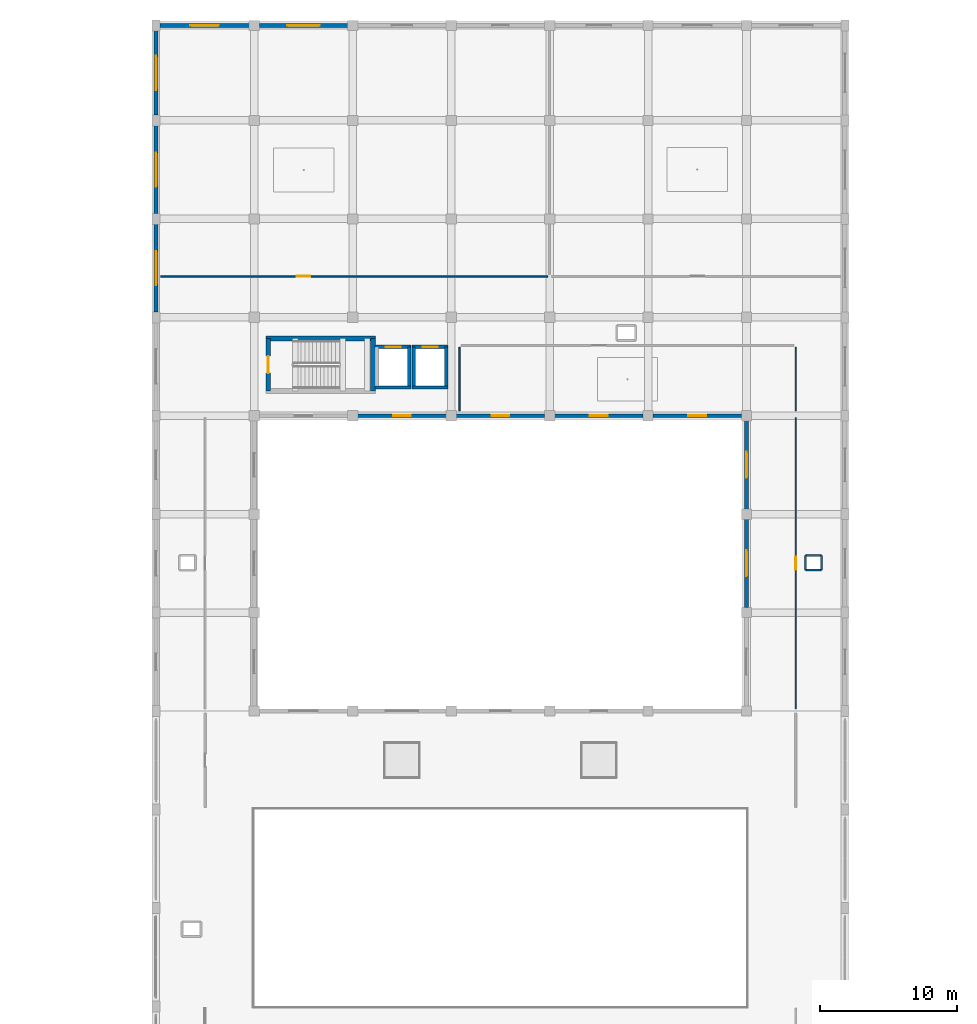
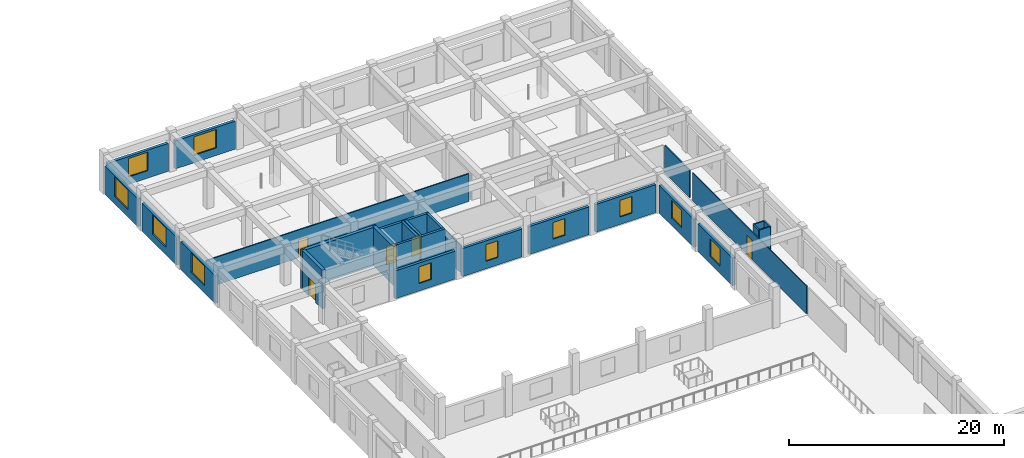
# One storey, part 33 of 55: 29 walls, 11 windows, 5 doors, 16 openings.
"""IFC4 building model written with IfcOpenShell, lengths in metres."""

from ifc_helpers import new_model, si_unit, direction, frame, frame_2d, origin, place, context, subcontext, project, spatial, rectangle, extrude, material, layer, layer_set, type_object, element, fill, save


model = new_model("IFC4")

# Units and contexts
model_context = context("Model", 3, precision=1e-05, world=origin(), true_north=direction((0.0, 1.0)))
body_context = subcontext(model_context, "Body", "Model", "MODEL_VIEW")
ifc_project = project(units=[si_unit("LENGTHUNIT", "METRE"), si_unit("AREAUNIT", "SQUARE_METRE"), si_unit("VOLUMEUNIT", "CUBIC_METRE"), si_unit("PLANEANGLEUNIT", "RADIAN"), si_unit("MASSUNIT", "GRAM", prefix="KILO")], contexts=[model_context])

# Site, building, storey
site_placement = place(None, origin())
site = spatial("IfcSite", under=ifc_project, at=site_placement, CompositionType="ELEMENT")
building_placement = place(site_placement, origin())
building = spatial("IfcBuilding", under=site, at=building_placement, Name="Kazehaya Institute of Natural Sciences", CompositionType="ELEMENT")
storey_placement = place(building_placement, frame((0.0, 0.0, 15.1201171875)))
storey = spatial("IfcBuildingStorey", under=building, at=storey_placement, Name="L03", CompositionType="ELEMENT", Elevation=15.1201171875)

# Wall
ifc_material_1 = material(Name="Concrete Fc42", Category="concrete")
ifc_layer_1 = layer(ifc_material_1, 0.35009765625, Name="Concrete Fc42", Category="concrete")
ifc_layer_set_1 = layer_set([ifc_layer_1], Name="Concrete Fc42")
wall_type_1 = type_object("IfcWallType", Name="WL-CORE-350", PredefinedType="SHEAR", material=ifc_layer_set_1)
wall_1_placement = place(storey_placement, frame((69.844970703125, 91.659912109375, 0.0), z_axis=(0.0, 0.0, 1.0), x_axis=(1.0, 0.0, 0.0)))
element("IfcWall", 1, at=wall_1_placement, inside=storey, type_object=wall_type_1, Name="L03 ST-3 core wall N", PredefinedType="SHEAR", context=body_context, shape_type="SweptSolid", body=[
    extrude(rectangle(XDim=8.010009765625, YDim=0.35009765625, at=frame_2d((4.0048828125, 0.0))), origin(), (0.0, 0.0, 1.0), 4.409912109375),
])

# Wall, opening, door
wall_2_placement = place(storey_placement, frame((70.02001953125, 87.820068359375, 0.0), z_axis=(0.0, 0.0, 1.0), x_axis=(0.0, 1.0, 0.0)))
wall_2 = element("IfcWall", 2, at=wall_2_placement, inside=storey, type_object=wall_type_1, Name="L03 ST-3 core wall W", PredefinedType="SHEAR", context=body_context, shape_type="SweptSolid", body=[
    extrude(rectangle(XDim=3.83984375, YDim=0.35009765625, at=frame_2d((1.919921875, 0.0))), origin(), (0.0, 0.0, 1.0), 4.409912109375),
])
opening_1_placement = place(wall_2_placement, frame((1.2900390625, 0.0, 0.0)))
opening_1 = element("IfcOpeningElement", 3, at=opening_1_placement, cuts=wall_2, Name="Opening D-ST-027", PredefinedType="OPENING", context=body_context, shape_type="SweptSolid", body=[
    extrude(rectangle(XDim=1.260009765625, YDim=2.06005859375, at=frame_2d((0.6298828125, 1.030029296875))), frame((0.0, 0.18505859375, 0.0), z_axis=(0.0, -1.0, 0.0), x_axis=(1.0, 0.0, 0.0)), (0.0, 0.0, 1.0), 0.3701171875),
])
ifc_material_2 = material(Name="Fire-rated steel acoustic door", Category="steel")
door_type_1 = type_object("IfcDoorType", Name="DT-FD-28", OperationType="NOTDEFINED", PredefinedType="DOOR", material=ifc_material_2)
door_1_placement = place(opening_1_placement, origin())
door_1 = element("IfcDoor", 4, at=door_1_placement, inside=storey, type_object=door_type_1, Name="L03 ST-3 stair enclosure door D-ST-027", OperationType="SINGLE_SWING_LEFT", OverallHeight=2.06005859375, OverallWidth=1.260009765625, PredefinedType="DOOR", context=body_context, shape_type="SweptSolid", body=[
    extrude(rectangle(XDim=1.260009765625, YDim=2.06005859375, at=frame_2d((0.6298828125, 1.030029296875))), frame((0.0, 0.02490234375, 0.0), z_axis=(0.0, -1.0, 0.0), x_axis=(1.0, 0.0, 0.0)), (0.0, 0.0, 1.0), 0.050048828125),
])
fill(opening_1, door_1)

# Wall
wall_3_placement = place(storey_placement, frame((77.679931640625, 91.659912109375, 0.0), z_axis=(0.0, 0.0, 1.0), x_axis=(0.0, -1.0, 0.0)))
element("IfcWall", 5, at=wall_3_placement, inside=storey, type_object=wall_type_1, Name="L03 ST-3 core wall E", PredefinedType="SHEAR", context=body_context, shape_type="SweptSolid", body=[
    extrude(rectangle(XDim=3.83984375, YDim=0.35009765625, at=frame_2d((1.919921875, 0.0))), origin(), (0.0, 0.0, 1.0), 4.409912109375),
])

# Wall, opening, window
ifc_material_3 = material(Name="Precast concrete Fc36", Category="concrete")
ifc_layer_2 = layer(ifc_material_3, 0.2900390625, Name="Precast concrete Fc36", Category="concrete")
ifc_layer_set_2 = layer_set([ifc_layer_2], Name="Precast concrete Fc36")
wall_type_2 = type_object("IfcWallType", Name="WL-EXT-290", PredefinedType="SOLIDWALL", material=ifc_layer_set_2)
wall_4_placement = place(storey_placement, frame((104.639892578125, 86.0, 0.0), z_axis=(0.0, 0.0, 1.0), x_axis=(-1.0, 0.0, 0.0)))
wall_4 = element("IfcWall", 6, at=wall_4_placement, inside=storey, type_object=wall_type_2, Name="L03 exterior wall EW-L03-0264", PredefinedType="SOLIDWALL", context=body_context, shape_type="SweptSolid", body=[
    extrude(rectangle(XDim=6.47998046875, YDim=0.2900390625, at=frame_2d((3.239990234375, 0.0))), origin(), (0.0, 0.0, 1.0), 3.179931640625),
])
opening_2_placement = place(wall_4_placement, frame((2.590087890625, 0.0, 0.85009765625)))
opening_2 = element("IfcOpeningElement", 7, at=opening_2_placement, cuts=wall_4, Name="Opening W26", PredefinedType="OPENING", context=body_context, shape_type="SweptSolid", body=[
    extrude(rectangle(XDim=1.300048828125, YDim=1.89990234375, at=frame_2d((0.64990234375, 0.949951171875))), frame((0.0, 0.155029296875, 0.0), z_axis=(0.0, -1.0, 0.0), x_axis=(1.0, 0.0, 0.0)), (0.0, 0.0, 1.0), 0.31005859375),
])
ifc_material_4 = material(Name="Low-E double-glazed aluminium window", Category="aluminium")
window_type_1 = type_object("IfcWindowType", Name="WN-26", PartitioningType="SINGLE_PANEL", PredefinedType="WINDOW", material=ifc_material_4)
window_1_placement = place(opening_2_placement, origin())
window_1 = element("IfcWindow", 8, at=window_1_placement, inside=storey, type_object=window_type_1, Name="L03 facade window 0164", OverallHeight=1.89990234375, OverallWidth=1.300048828125, PartitioningType="SINGLE_PANEL", PredefinedType="WINDOW", context=body_context, shape_type="SweptSolid", body=[
    extrude(rectangle(XDim=1.300048828125, YDim=1.89990234375, at=frame_2d((0.64990234375, 0.949951171875))), frame((0.0, 0.030029296875, 0.0), z_axis=(0.0, -1.0, 0.0), x_axis=(1.0, 0.0, 0.0)), (0.0, 0.0, 1.0), 0.06005859375),
])
fill(opening_2, window_1)

wall_5_placement = place(storey_placement, frame((97.43994140625, 86.0, 0.0), z_axis=(0.0, 0.0, 1.0), x_axis=(-1.0, 0.0, 0.0)))
wall_5 = element("IfcWall", 9, at=wall_5_placement, inside=storey, type_object=wall_type_2, Name="L03 exterior wall EW-L03-0265", PredefinedType="SOLIDWALL", context=body_context, shape_type="SweptSolid", body=[
    extrude(rectangle(XDim=6.47998046875, YDim=0.2900390625, at=frame_2d((3.239990234375, 0.0))), origin(), (0.0, 0.0, 1.0), 3.179931640625),
])
opening_3_placement = place(wall_5_placement, frame((2.590087890625, 0.0, 0.85009765625)))
opening_3 = element("IfcOpeningElement", 10, at=opening_3_placement, cuts=wall_5, Name="Opening W26", PredefinedType="OPENING", context=body_context, shape_type="SweptSolid", body=[
    extrude(rectangle(XDim=1.300048828125, YDim=1.89990234375, at=frame_2d((0.64990234375, 0.949951171875))), frame((0.0, 0.155029296875, 0.0), z_axis=(0.0, -1.0, 0.0), x_axis=(1.0, 0.0, 0.0)), (0.0, 0.0, 1.0), 0.31005859375),
])
window_2_placement = place(opening_3_placement, origin())
window_2 = element("IfcWindow", 11, at=window_2_placement, inside=storey, type_object=window_type_1, Name="L03 facade window 0165", OverallHeight=1.89990234375, OverallWidth=1.300048828125, PartitioningType="SINGLE_PANEL", PredefinedType="WINDOW", context=body_context, shape_type="SweptSolid", body=[
    extrude(rectangle(XDim=1.300048828125, YDim=1.89990234375, at=frame_2d((0.64990234375, 0.949951171875))), frame((0.0, 0.030029296875, 0.0), z_axis=(0.0, -1.0, 0.0), x_axis=(1.0, 0.0, 0.0)), (0.0, 0.0, 1.0), 0.06005859375),
])
fill(opening_3, window_2)

wall_6_placement = place(storey_placement, frame((90.239990234375, 86.0, 0.0), z_axis=(0.0, 0.0, 1.0), x_axis=(-1.0, 0.0, 0.0)))
wall_6 = element("IfcWall", 12, at=wall_6_placement, inside=storey, type_object=wall_type_2, Name="L03 exterior wall EW-L03-0266", PredefinedType="SOLIDWALL", context=body_context, shape_type="SweptSolid", body=[
    extrude(rectangle(XDim=6.47998046875, YDim=0.2900390625, at=frame_2d((3.239990234375, 0.0))), origin(), (0.0, 0.0, 1.0), 3.179931640625),
])
opening_4_placement = place(wall_6_placement, frame((2.590087890625, 0.0, 0.85009765625)))
opening_4 = element("IfcOpeningElement", 13, at=opening_4_placement, cuts=wall_6, Name="Opening W26", PredefinedType="OPENING", context=body_context, shape_type="SweptSolid", body=[
    extrude(rectangle(XDim=1.300048828125, YDim=1.89990234375, at=frame_2d((0.64990234375, 0.949951171875))), frame((0.0, 0.155029296875, 0.0), z_axis=(0.0, -1.0, 0.0), x_axis=(1.0, 0.0, 0.0)), (0.0, 0.0, 1.0), 0.31005859375),
])
window_3_placement = place(opening_4_placement, origin())
window_3 = element("IfcWindow", 14, at=window_3_placement, inside=storey, type_object=window_type_1, Name="L03 facade window 0166", OverallHeight=1.89990234375, OverallWidth=1.300048828125, PartitioningType="SINGLE_PANEL", PredefinedType="WINDOW", context=body_context, shape_type="SweptSolid", body=[
    extrude(rectangle(XDim=1.300048828125, YDim=1.89990234375, at=frame_2d((0.64990234375, 0.949951171875))), frame((0.0, 0.030029296875, 0.0), z_axis=(0.0, -1.0, 0.0), x_axis=(1.0, 0.0, 0.0)), (0.0, 0.0, 1.0), 0.06005859375),
])
fill(opening_4, window_3)

wall_7_placement = place(storey_placement, frame((83.0400390625, 86.0, 0.0), z_axis=(0.0, 0.0, 1.0), x_axis=(-1.0, 0.0, 0.0)))
wall_7 = element("IfcWall", 15, at=wall_7_placement, inside=storey, type_object=wall_type_2, Name="L03 exterior wall EW-L03-0267", PredefinedType="SOLIDWALL", context=body_context, shape_type="SweptSolid", body=[
    extrude(rectangle(XDim=6.47998046875, YDim=0.2900390625, at=frame_2d((3.239990234375, 0.0))), origin(), (0.0, 0.0, 1.0), 3.179931640625),
])
opening_5_placement = place(wall_7_placement, frame((2.590087890625, 0.0, 0.85009765625)))
opening_5 = element("IfcOpeningElement", 16, at=opening_5_placement, cuts=wall_7, Name="Opening W26", PredefinedType="OPENING", context=body_context, shape_type="SweptSolid", body=[
    extrude(rectangle(XDim=1.300048828125, YDim=1.89990234375, at=frame_2d((0.64990234375, 0.949951171875))), frame((0.0, 0.155029296875, 0.0), z_axis=(0.0, -1.0, 0.0), x_axis=(1.0, 0.0, 0.0)), (0.0, 0.0, 1.0), 0.31005859375),
])
window_4_placement = place(opening_5_placement, origin())
window_4 = element("IfcWindow", 17, at=window_4_placement, inside=storey, type_object=window_type_1, Name="L03 facade window 0167", OverallHeight=1.89990234375, OverallWidth=1.300048828125, PartitioningType="SINGLE_PANEL", PredefinedType="WINDOW", context=body_context, shape_type="SweptSolid", body=[
    extrude(rectangle(XDim=1.300048828125, YDim=1.89990234375, at=frame_2d((0.64990234375, 0.949951171875))), frame((0.0, 0.030029296875, 0.0), z_axis=(0.0, -1.0, 0.0), x_axis=(1.0, 0.0, 0.0)), (0.0, 0.0, 1.0), 0.06005859375),
])
fill(opening_5, window_4)

ifc_layer_3 = layer(ifc_material_3, 0.31005859375, Name="Precast concrete Fc36", Category="concrete")
ifc_layer_set_3 = layer_set([ifc_layer_3], Name="Precast concrete Fc36")
wall_type_3 = type_object("IfcWallType", Name="WL-EXT-310", PredefinedType="SOLIDWALL", material=ifc_layer_set_3)
wall_8_placement = place(storey_placement, frame((105.0, 71.9599609375, 0.0), z_axis=(0.0, 0.0, 1.0), x_axis=(0.0, 1.0, 0.0)))
wall_8 = element("IfcWall", 18, at=wall_8_placement, inside=storey, type_object=wall_type_3, Name="L03 exterior wall EW-L03-0244", PredefinedType="SOLIDWALL", context=body_context, shape_type="SweptSolid", body=[
    extrude(rectangle(XDim=6.47998046875, YDim=0.31005859375, at=frame_2d((3.239990234375, 0.0))), origin(), (0.0, 0.0, 1.0), 3.179931640625),
])
opening_6_placement = place(wall_8_placement, frame((2.2900390625, 0.0, 0.85009765625)))
opening_6 = element("IfcOpeningElement", 19, at=opening_6_placement, cuts=wall_8, Name="Opening W23", PredefinedType="OPENING", context=body_context, shape_type="SweptSolid", body=[
    extrude(rectangle(XDim=1.89990234375, YDim=2.0, at=frame_2d((0.949951171875, 1.0))), frame((0.0, 0.1650390625, 0.0), z_axis=(0.0, -1.0, 0.0), x_axis=(1.0, 0.0, 0.0)), (0.0, 0.0, 1.0), 0.330078125),
])
window_type_2 = type_object("IfcWindowType", Name="WN-23", PartitioningType="DOUBLE_PANEL_VERTICAL", PredefinedType="WINDOW", material=ifc_material_4)
window_5_placement = place(opening_6_placement, origin())
window_5 = element("IfcWindow", 20, at=window_5_placement, inside=storey, type_object=window_type_2, Name="L03 facade window 0144", OverallHeight=2.0, OverallWidth=1.89990234375, PartitioningType="DOUBLE_PANEL_VERTICAL", PredefinedType="WINDOW", context=body_context, shape_type="SweptSolid", body=[
    extrude(rectangle(XDim=1.89990234375, YDim=2.0, at=frame_2d((0.949951171875, 1.0))), frame((0.0, 0.030029296875, 0.0), z_axis=(0.0, -1.0, 0.0), x_axis=(1.0, 0.0, 0.0)), (0.0, 0.0, 1.0), 0.06005859375),
])
fill(opening_6, window_5)

wall_9_placement = place(storey_placement, frame((105.0, 79.159912109375, 0.0), z_axis=(0.0, 0.0, 1.0), x_axis=(0.0, 1.0, 0.0)))
wall_9 = element("IfcWall", 21, at=wall_9_placement, inside=storey, type_object=wall_type_3, Name="L03 exterior wall EW-L03-0248", PredefinedType="SOLIDWALL", context=body_context, shape_type="SweptSolid", body=[
    extrude(rectangle(XDim=6.47998046875, YDim=0.31005859375, at=frame_2d((3.239990234375, 0.0))), origin(), (0.0, 0.0, 1.0), 3.179931640625),
])
opening_7_placement = place(wall_9_placement, frame((2.2900390625, 0.0, 0.85009765625)))
opening_7 = element("IfcOpeningElement", 22, at=opening_7_placement, cuts=wall_9, Name="Opening W23", PredefinedType="OPENING", context=body_context, shape_type="SweptSolid", body=[
    extrude(rectangle(XDim=1.89990234375, YDim=2.0, at=frame_2d((0.949951171875, 1.0))), frame((0.0, 0.1650390625, 0.0), z_axis=(0.0, -1.0, 0.0), x_axis=(1.0, 0.0, 0.0)), (0.0, 0.0, 1.0), 0.330078125),
])
window_6_placement = place(opening_7_placement, origin())
window_6 = element("IfcWindow", 23, at=window_6_placement, inside=storey, type_object=window_type_2, Name="L03 facade window 0148", OverallHeight=2.0, OverallWidth=1.89990234375, PartitioningType="DOUBLE_PANEL_VERTICAL", PredefinedType="WINDOW", context=body_context, shape_type="SweptSolid", body=[
    extrude(rectangle(XDim=1.89990234375, YDim=2.0, at=frame_2d((0.949951171875, 1.0))), frame((0.0, 0.030029296875, 0.0), z_axis=(0.0, -1.0, 0.0), x_axis=(1.0, 0.0, 0.0)), (0.0, 0.0, 1.0), 0.06005859375),
])
fill(opening_7, window_6)

ifc_layer_4 = layer(ifc_material_3, 0.320068359375, Name="Precast concrete Fc36", Category="concrete")
ifc_layer_set_4 = layer_set([ifc_layer_4], Name="Precast concrete Fc36")
wall_type_4 = type_object("IfcWallType", Name="WL-EXT-320", PredefinedType="SOLIDWALL", material=ifc_layer_set_4)
wall_10_placement = place(storey_placement, frame((61.800048828125, 93.5849609375, 0.0), z_axis=(0.0, 0.0, 1.0), x_axis=(0.0, 1.0, 0.0)))
wall_10 = element("IfcWall", 24, at=wall_10_placement, inside=storey, type_object=wall_type_4, Name="L03 exterior wall EW-L03-0251", PredefinedType="SOLIDWALL", context=body_context, shape_type="SweptSolid", body=[
    extrude(rectangle(XDim=6.429931640625, YDim=0.320068359375, at=frame_2d((3.21484375, 0.0))), origin(), (0.0, 0.0, 1.0), 3.179931640625),
])
opening_8_placement = place(wall_10_placement, frame((1.965087890625, 0.0, 0.85009765625)))
opening_8 = element("IfcOpeningElement", 25, at=opening_8_placement, cuts=wall_10, Name="Opening W24", PredefinedType="OPENING", context=body_context, shape_type="SweptSolid", body=[
    extrude(rectangle(XDim=2.5, YDim=2.199951171875, at=frame_2d((1.25, 1.10009765625))), frame((0.0, 0.169921875, 0.0), z_axis=(0.0, -1.0, 0.0), x_axis=(1.0, 0.0, 0.0)), (0.0, 0.0, 1.0), 0.340087890625),
])
window_type_3 = type_object("IfcWindowType", Name="WN-24", PartitioningType="DOUBLE_PANEL_VERTICAL", PredefinedType="WINDOW", material=ifc_material_4)
window_7_placement = place(opening_8_placement, origin())
window_7 = element("IfcWindow", 26, at=window_7_placement, inside=storey, type_object=window_type_3, Name="L03 facade window 0151", OverallHeight=2.199951171875, OverallWidth=2.5, PartitioningType="DOUBLE_PANEL_VERTICAL", PredefinedType="WINDOW", context=body_context, shape_type="SweptSolid", body=[
    extrude(rectangle(XDim=2.5, YDim=2.199951171875, at=frame_2d((1.25, 1.10009765625))), frame((0.0, 0.030029296875, 0.0), z_axis=(0.0, -1.0, 0.0), x_axis=(1.0, 0.0, 0.0)), (0.0, 0.0, 1.0), 0.06005859375),
])
fill(opening_8, window_7)

wall_11_placement = place(storey_placement, frame((61.800048828125, 100.784912109375, 0.0), z_axis=(0.0, 0.0, 1.0), x_axis=(0.0, 1.0, 0.0)))
wall_11 = element("IfcWall", 27, at=wall_11_placement, inside=storey, type_object=wall_type_4, Name="L03 exterior wall EW-L03-0253", PredefinedType="SOLIDWALL", context=body_context, shape_type="SweptSolid", body=[
    extrude(rectangle(XDim=6.43017578125, YDim=0.320068359375, at=frame_2d((3.215087890625, 0.0))), origin(), (0.0, 0.0, 1.0), 3.179931640625),
])
opening_9_placement = place(wall_11_placement, frame((1.965087890625, 0.0, 0.85009765625)))
opening_9 = element("IfcOpeningElement", 28, at=opening_9_placement, cuts=wall_11, Name="Opening W24", PredefinedType="OPENING", context=body_context, shape_type="SweptSolid", body=[
    extrude(rectangle(XDim=2.5, YDim=2.199951171875, at=frame_2d((1.25, 1.10009765625))), frame((0.0, 0.169921875, 0.0), z_axis=(0.0, -1.0, 0.0), x_axis=(1.0, 0.0, 0.0)), (0.0, 0.0, 1.0), 0.340087890625),
])
window_8_placement = place(opening_9_placement, origin())
window_8 = element("IfcWindow", 29, at=window_8_placement, inside=storey, type_object=window_type_3, Name="L03 facade window 0153", OverallHeight=2.199951171875, OverallWidth=2.5, PartitioningType="DOUBLE_PANEL_VERTICAL", PredefinedType="WINDOW", context=body_context, shape_type="SweptSolid", body=[
    extrude(rectangle(XDim=2.5, YDim=2.199951171875, at=frame_2d((1.25, 1.10009765625))), frame((0.0, 0.030029296875, 0.0), z_axis=(0.0, -1.0, 0.0), x_axis=(1.0, 0.0, 0.0)), (0.0, 0.0, 1.0), 0.06005859375),
])
fill(opening_9, window_8)

wall_12_placement = place(storey_placement, frame((61.800048828125, 107.985107421875, 0.0), z_axis=(0.0, 0.0, 1.0), x_axis=(0.0, 1.0, 0.0)))
wall_12 = element("IfcWall", 30, at=wall_12_placement, inside=storey, type_object=wall_type_4, Name="L03 exterior wall EW-L03-0255", PredefinedType="SOLIDWALL", context=body_context, shape_type="SweptSolid", body=[
    extrude(rectangle(XDim=6.179931640625, YDim=0.320068359375, at=frame_2d((3.08984375, 0.0))), origin(), (0.0, 0.0, 1.0), 3.179931640625),
])
opening_10_placement = place(wall_12_placement, frame((1.840087890625, 0.0, 0.85009765625)))
opening_10 = element("IfcOpeningElement", 31, at=opening_10_placement, cuts=wall_12, Name="Opening W24", PredefinedType="OPENING", context=body_context, shape_type="SweptSolid", body=[
    extrude(rectangle(XDim=2.5, YDim=2.199951171875, at=frame_2d((1.25, 1.10009765625))), frame((0.0, 0.169921875, 0.0), z_axis=(0.0, -1.0, 0.0), x_axis=(1.0, 0.0, 0.0)), (0.0, 0.0, 1.0), 0.340087890625),
])
window_9_placement = place(opening_10_placement, origin())
window_9 = element("IfcWindow", 32, at=window_9_placement, inside=storey, type_object=window_type_3, Name="L03 facade window 0155", OverallHeight=2.199951171875, OverallWidth=2.5, PartitioningType="DOUBLE_PANEL_VERTICAL", PredefinedType="WINDOW", context=body_context, shape_type="SweptSolid", body=[
    extrude(rectangle(XDim=2.5, YDim=2.199951171875, at=frame_2d((1.25, 1.10009765625))), frame((0.0, 0.030029296875, 0.0), z_axis=(0.0, -1.0, 0.0), x_axis=(1.0, 0.0, 0.0)), (0.0, 0.0, 1.0), 0.06005859375),
])
fill(opening_10, window_9)

wall_13_placement = place(storey_placement, frame((62.0849609375, 114.550048828125, 0.0), z_axis=(0.0, 0.0, 1.0), x_axis=(1.0, 0.0, 0.0)))
wall_13 = element("IfcWall", 33, at=wall_13_placement, inside=storey, type_object=wall_type_4, Name="L03 exterior wall EW-L03-0257", PredefinedType="SOLIDWALL", context=body_context, shape_type="SweptSolid", body=[
    extrude(rectangle(XDim=6.554931640625, YDim=0.320068359375, at=frame_2d((3.27734375, 0.0))), origin(), (0.0, 0.0, 1.0), 3.179931640625),
])
opening_11_placement = place(wall_13_placement, frame((2.2275390625, 0.0, 0.85009765625)))
opening_11 = element("IfcOpeningElement", 34, at=opening_11_placement, cuts=wall_13, Name="Opening W07", PredefinedType="OPENING", context=body_context, shape_type="SweptSolid", body=[
    extrude(rectangle(XDim=2.10009765625, YDim=2.10009765625, at=frame_2d((1.050048828125, 1.050048828125))), frame((0.0, 0.169921875, 0.0), z_axis=(0.0, -1.0, 0.0), x_axis=(1.0, 0.0, 0.0)), (0.0, 0.0, 1.0), 0.340087890625),
])
window_type_4 = type_object("IfcWindowType", Name="WN-07", PartitioningType="DOUBLE_PANEL_VERTICAL", PredefinedType="WINDOW", material=ifc_material_4)
window_10_placement = place(opening_11_placement, origin())
window_10 = element("IfcWindow", 35, at=window_10_placement, inside=storey, type_object=window_type_4, Name="L03 facade window 0157", OverallHeight=2.10009765625, OverallWidth=2.10009765625, PartitioningType="DOUBLE_PANEL_VERTICAL", PredefinedType="WINDOW", context=body_context, shape_type="SweptSolid", body=[
    extrude(rectangle(XDim=2.10009765625, YDim=2.10009765625, at=frame_2d((1.050048828125, 1.050048828125))), frame((0.0, 0.030029296875, 0.0), z_axis=(0.0, -1.0, 0.0), x_axis=(1.0, 0.0, 0.0)), (0.0, 0.0, 1.0), 0.06005859375),
])
fill(opening_11, window_10)

wall_14_placement = place(storey_placement, frame((69.360107421875, 114.550048828125, 0.0), z_axis=(0.0, 0.0, 1.0), x_axis=(1.0, 0.0, 0.0)))
wall_14 = element("IfcWall", 36, at=wall_14_placement, inside=storey, type_object=wall_type_4, Name="L03 exterior wall EW-L03-0258", PredefinedType="SOLIDWALL", context=body_context, shape_type="SweptSolid", body=[
    extrude(rectangle(XDim=6.47998046875, YDim=0.320068359375, at=frame_2d((3.239990234375, 0.0))), origin(), (0.0, 0.0, 1.0), 3.179931640625),
])
opening_12_placement = place(wall_14_placement, frame((2.0400390625, 0.0, 0.85009765625)))
opening_12 = element("IfcOpeningElement", 37, at=opening_12_placement, cuts=wall_14, Name="Opening W08", PredefinedType="OPENING", context=body_context, shape_type="SweptSolid", body=[
    extrude(rectangle(XDim=2.39990234375, YDim=2.10009765625, at=frame_2d((1.199951171875, 1.050048828125))), frame((0.0, 0.169921875, 0.0), z_axis=(0.0, -1.0, 0.0), x_axis=(1.0, 0.0, 0.0)), (0.0, 0.0, 1.0), 0.340087890625),
])
window_type_5 = type_object("IfcWindowType", Name="WN-08", PartitioningType="DOUBLE_PANEL_VERTICAL", PredefinedType="WINDOW", material=ifc_material_4)
window_11_placement = place(opening_12_placement, origin())
window_11 = element("IfcWindow", 38, at=window_11_placement, inside=storey, type_object=window_type_5, Name="L03 facade window 0158", OverallHeight=2.10009765625, OverallWidth=2.39990234375, PartitioningType="DOUBLE_PANEL_VERTICAL", PredefinedType="WINDOW", context=body_context, shape_type="SweptSolid", body=[
    extrude(rectangle(XDim=2.39990234375, YDim=2.10009765625, at=frame_2d((1.199951171875, 1.050048828125))), frame((0.0, 0.030029296875, 0.0), z_axis=(0.0, -1.0, 0.0), x_axis=(1.0, 0.0, 0.0)), (0.0, 0.0, 1.0), 0.06005859375),
])
fill(opening_12, window_11)

# Wall, opening, door
ifc_material_5 = material(Name="Lightweight chase partition")
ifc_layer_5 = layer(ifc_material_5, 0.10009765625, Name="Lightweight chase partition")
ifc_layer_set_5 = layer_set([ifc_layer_5], Name="Lightweight chase partition")
wall_type_5 = type_object("IfcWallType", Name="WL-PART-100", PredefinedType="PARTITIONING", material=ifc_layer_set_5)
wall_15_placement = place(storey_placement, frame((108.60009765625, 85.85009765625, 0.0), z_axis=(0.0, 0.0, 1.0), x_axis=(0.0, -1.0, 0.0)))
wall_15 = element("IfcWall", 39, at=wall_15_placement, inside=storey, type_object=wall_type_5, Name="L03 Researcher Write-up Office partition IW-L03-0210", PredefinedType="PARTITIONING", context=body_context, shape_type="SweptSolid", body=[
    extrude(rectangle(XDim=21.300048828125, YDim=0.10009765625, at=frame_2d((10.64990234375, 0.0))), origin(), (0.0, 0.0, 1.0), 3.159912109375),
])
opening_13_placement = place(wall_15_placement, frame((10.169921875, 0.0, 0.0)))
opening_13 = element("IfcOpeningElement", 40, at=opening_13_placement, cuts=wall_15, Name="Opening D-L03-0134", PredefinedType="OPENING", context=body_context, shape_type="SweptSolid", body=[
    extrude(rectangle(XDim=0.9599609375, YDim=2.219970703125, at=frame_2d((0.47998046875, 1.10986328125))), frame((0.0, 0.06005859375, 0.0), z_axis=(0.0, -1.0, 0.0), x_axis=(1.0, 0.0, 0.0)), (0.0, 0.0, 1.0), 0.1201171875),
])
ifc_material_6 = material(Name="Flush timber and aluminium laboratory door", Category="wood")
door_type_2 = type_object("IfcDoorType", Name="DT-INT-12", OperationType="NOTDEFINED", PredefinedType="DOOR", material=ifc_material_6)
door_2_placement = place(opening_13_placement, origin())
door_2 = element("IfcDoor", 41, at=door_2_placement, inside=storey, type_object=door_type_2, Name="L03 Researcher Write-up Office door D-L03-0134", OperationType="SINGLE_SWING_RIGHT", OverallHeight=2.219970703125, OverallWidth=0.9599609375, PredefinedType="DOOR", context=body_context, shape_type="SweptSolid", body=[
    extrude(rectangle(XDim=0.9599609375, YDim=2.219970703125, at=frame_2d((0.47998046875, 1.10986328125))), frame((0.0, 0.02490234375, 0.0), z_axis=(0.0, -1.0, 0.0), x_axis=(1.0, 0.0, 0.0)), (0.0, 0.0, 1.0), 0.050048828125),
])
fill(opening_13, door_2)

# Walls
for number, where, z_axis, x_axis, name in (
    (42, (84.0, 86.35009765625, 0.0), (0.0, 0.0, 1.0), (0.0, 1.0, 0.0), "L03 Researcher Write-up Office partition IW-L03-0215"),
    (43, (108.60009765625, 91.0, 0.0), (0.0, 0.0, 1.0), (0.0, -1.0, 0.0), "L03 Researcher Write-up Office partition IW-L03-0216"),
):
    element("IfcWall", number, at=place(storey_placement, frame(where, z_axis=z_axis, x_axis=x_axis)), inside=storey, type_object=wall_type_5, Name=name, PredefinedType="PARTITIONING", context=body_context, shape_type="SweptSolid", body=[
        extrude(rectangle(XDim=4.64990234375, YDim=0.10009765625, at=frame_2d((2.324951171875, 0.0))), origin(), (0.0, 0.0, 1.0), 3.159912109375),
    ])

# Wall, opening, door
ifc_material_7 = material(Name="Gypsum write-up office partition", Category="gypsum")
ifc_layer_6 = layer(ifc_material_7, 0.1201171875, Name="Gypsum write-up office partition", Category="gypsum")
ifc_layer_set_6 = layer_set([ifc_layer_6], Name="Gypsum write-up office partition")
wall_type_6 = type_object("IfcWallType", Name="WL-PART-120", PredefinedType="PARTITIONING", material=ifc_layer_set_6)
wall_16_placement = place(storey_placement, frame((90.449951171875, 96.199951171875, 0.0), z_axis=(0.0, 0.0, 1.0), x_axis=(-1.0, 0.0, 0.0)))
wall_16 = element("IfcWall", 44, at=wall_16_placement, inside=storey, type_object=wall_type_6, Name="L03 Biostatistics Dry Laboratory partition IW-L03-0211", PredefinedType="PARTITIONING", context=body_context, shape_type="SweptSolid", body=[
    extrude(rectangle(XDim=28.300048828125, YDim=0.1201171875, at=frame_2d((14.14990234375, 0.0))), origin(), (0.0, 0.0, 1.0), 3.159912109375),
])
opening_14_placement = place(wall_16_placement, frame((17.35498046875, 0.0, 0.0)))
opening_14 = element("IfcOpeningElement", 45, at=opening_14_placement, cuts=wall_16, Name="Opening D-L03-0135", PredefinedType="OPENING", context=body_context, shape_type="SweptSolid", body=[
    extrude(rectangle(XDim=0.989990234375, YDim=2.050048828125, at=frame_2d((0.4951171875, 1.02490234375))), frame((0.0, 0.070068359375, 0.0), z_axis=(0.0, -1.0, 0.0), x_axis=(1.0, 0.0, 0.0)), (0.0, 0.0, 1.0), 0.14013671875),
])
door_type_3 = type_object("IfcDoorType", Name="DT-INT-13", OperationType="NOTDEFINED", PredefinedType="DOOR", material=ifc_material_6)
door_3_placement = place(opening_14_placement, origin())
door_3 = element("IfcDoor", 46, at=door_3_placement, inside=storey, type_object=door_type_3, Name="L03 Biostatistics Dry Laboratory door D-L03-0135", OperationType="SINGLE_SWING_LEFT", OverallHeight=2.050048828125, OverallWidth=0.989990234375, PredefinedType="DOOR", context=body_context, shape_type="SweptSolid", body=[
    extrude(rectangle(XDim=0.989990234375, YDim=2.050048828125, at=frame_2d((0.4951171875, 1.02490234375))), frame((0.0, 0.02490234375, 0.0), z_axis=(0.0, -1.0, 0.0), x_axis=(1.0, 0.0, 0.0)), (0.0, 0.0, 1.0), 0.050048828125),
])
fill(opening_14, door_3)

# Walls
ifc_material_8 = material(Name="Concrete Fc36", Category="concrete")
ifc_layer_7 = layer(ifc_material_8, 0.14990234375, Name="Concrete Fc36", Category="concrete")
ifc_layer_set_7 = layer_set([ifc_layer_7], Name="Concrete Fc36")
wall_type_7 = type_object("IfcWallType", Name="WL-RISER-150", PredefinedType="PARTITIONING", material=ifc_layer_set_7)
for number, where, z_axis, x_axis, name in (
    (47, (110.485107421875, 74.715087890625, 0.0), (0.0, 0.0, 1.0), (-1.0, 0.0, 0.0), "L03 fume exhaust riser shaft wall 33"),
    (48, (109.31494140625, 75.784912109375, 0.0), (0.0, 0.0, 1.0), (1.0, 0.0, 0.0), "L03 fume exhaust riser shaft wall 33"),
):
    element("IfcWall", number, at=place(storey_placement, frame(where, z_axis=z_axis, x_axis=x_axis)), inside=storey, type_object=wall_type_7, Name=name, PredefinedType="PARTITIONING", context=body_context, shape_type="SweptSolid", body=[
        extrude(rectangle(XDim=1.170166015625, YDim=0.14990234375, at=frame_2d((0.5849609375, 0.0))), origin(), (0.0, 0.0, 1.0), 3.159912109375),
    ])
for number, where, z_axis, x_axis, name in (
    (49, (109.31494140625, 74.715087890625, 0.0), (0.0, 0.0, 1.0), (0.0, 1.0, 0.0), "L03 fume exhaust riser shaft wall 33"),
    (50, (110.485107421875, 75.784912109375, 0.0), (0.0, 0.0, 1.0), (0.0, -1.0, 0.0), "L03 fume exhaust riser shaft wall 33"),
):
    element("IfcWall", number, at=place(storey_placement, frame(where, z_axis=z_axis, x_axis=x_axis)), inside=storey, type_object=wall_type_7, Name=name, PredefinedType="PARTITIONING", context=body_context, shape_type="SweptSolid", body=[
        extrude(rectangle(XDim=1.06982421875, YDim=0.14990234375, at=frame_2d((0.534912109375, 0.0))), origin(), (0.0, 0.0, 1.0), 3.159912109375),
    ])
ifc_layer_8 = layer(ifc_material_1, 0.25, Name="Concrete Fc42", Category="concrete")
ifc_layer_set_8 = layer_set([ifc_layer_8], Name="Concrete Fc42")
wall_type_8 = type_object("IfcWallType", Name="WL-SHAFT-250", PredefinedType="SHEAR", material=ifc_layer_set_8)
wall_17_placement = place(storey_placement, frame((80.4599609375, 88.06494140625, 0.0), z_axis=(0.0, 0.0, 1.0), x_axis=(-1.0, 0.0, 0.0)))
element("IfcWall", 51, at=wall_17_placement, inside=storey, type_object=wall_type_8, Name="L03 EL04 lift shaft wall south", PredefinedType="SHEAR", context=body_context, shape_type="SweptSolid", body=[
    extrude(rectangle(XDim=2.619873046875, YDim=0.25, at=frame_2d((1.31005859375, 0.0))), origin(), (0.0, 0.0, 1.0), 4.409912109375),
])

# Wall, opening, door
wall_18_placement = place(storey_placement, frame((77.840087890625, 91.034912109375, 0.0), z_axis=(0.0, 0.0, 1.0), x_axis=(1.0, 0.0, 0.0)))
wall_18 = element("IfcWall", 52, at=wall_18_placement, inside=storey, type_object=wall_type_8, Name="L03 EL04 lift shaft wall north", PredefinedType="SHEAR", context=body_context, shape_type="SweptSolid", body=[
    extrude(rectangle(XDim=2.619873046875, YDim=0.25, at=frame_2d((1.31005859375, 0.0))), origin(), (0.0, 0.0, 1.0), 4.409912109375),
])
opening_15_placement = place(wall_18_placement, frame((0.760009765625, 0.0, 0.0)))
opening_15 = element("IfcOpeningElement", 53, at=opening_15_placement, cuts=wall_18, Name="Opening LD-60", PredefinedType="OPENING", context=body_context, shape_type="SweptSolid", body=[
    extrude(rectangle(XDim=1.10009765625, YDim=2.199951171875, at=frame_2d((0.550048828125, 1.10009765625))), frame((0.0, 0.135009765625, 0.0), z_axis=(0.0, -1.0, 0.0), x_axis=(1.0, 0.0, 0.0)), (0.0, 0.0, 1.0), 0.27001953125),
])
ifc_material_9 = material(Name="Stainless-steel sliding landing door", Category="steel")
door_type_4 = type_object("IfcDoorType", Name="DT-LD-1100x2200", OperationType="SLIDING_TO_LEFT", PredefinedType="DOOR", material=ifc_material_9)
door_4_placement = place(opening_15_placement, origin())
door_4 = element("IfcDoor", 54, at=door_4_placement, inside=storey, type_object=door_type_4, Name="L03 EL04 sliding landing door LD-60", OperationType="SLIDING_TO_LEFT", OverallHeight=2.199951171875, OverallWidth=1.10009765625, PredefinedType="DOOR", context=body_context, shape_type="SweptSolid", body=[
    extrude(rectangle(XDim=1.10009765625, YDim=2.199951171875, at=frame_2d((0.550048828125, 1.10009765625))), frame((0.0, 0.02490234375, 0.0), z_axis=(0.0, -1.0, 0.0), x_axis=(1.0, 0.0, 0.0)), (0.0, 0.0, 1.0), 0.050048828125),
])
fill(opening_15, door_4)

# Walls
wall_19_placement = place(storey_placement, frame((80.3349609375, 91.034912109375, 0.0), z_axis=(0.0, 0.0, 1.0), x_axis=(0.0, -1.0, 0.0)))
element("IfcWall", 55, at=wall_19_placement, inside=storey, type_object=wall_type_8, Name="L03 EL04 lift shaft wall east", PredefinedType="SHEAR", context=body_context, shape_type="SweptSolid", body=[
    extrude(rectangle(XDim=2.969970703125, YDim=0.25, at=frame_2d((1.48486328125, 0.0))), origin(), (0.0, 0.0, 1.0), 4.409912109375),
])
wall_20_placement = place(storey_placement, frame((83.159912109375, 88.06494140625, 0.0), z_axis=(0.0, 0.0, 1.0), x_axis=(-1.0, 0.0, 0.0)))
element("IfcWall", 56, at=wall_20_placement, inside=storey, type_object=wall_type_8, Name="L03 EL05 lift shaft wall south", PredefinedType="SHEAR", context=body_context, shape_type="SweptSolid", body=[
    extrude(rectangle(XDim=2.619873046875, YDim=0.25, at=frame_2d((1.31005859375, 0.0))), origin(), (0.0, 0.0, 1.0), 4.409912109375),
])

# Wall, opening, door
wall_21_placement = place(storey_placement, frame((80.5400390625, 91.034912109375, 0.0), z_axis=(0.0, 0.0, 1.0), x_axis=(1.0, 0.0, 0.0)))
wall_21 = element("IfcWall", 57, at=wall_21_placement, inside=storey, type_object=wall_type_8, Name="L03 EL05 lift shaft wall north", PredefinedType="SHEAR", context=body_context, shape_type="SweptSolid", body=[
    extrude(rectangle(XDim=2.619873046875, YDim=0.25, at=frame_2d((1.31005859375, 0.0))), origin(), (0.0, 0.0, 1.0), 4.409912109375),
])
opening_16_placement = place(wall_21_placement, frame((0.760009765625, 0.0, 0.0)))
opening_16 = element("IfcOpeningElement", 58, at=opening_16_placement, cuts=wall_21, Name="Opening LD-68", PredefinedType="OPENING", context=body_context, shape_type="SweptSolid", body=[
    extrude(rectangle(XDim=1.10009765625, YDim=2.199951171875, at=frame_2d((0.550048828125, 1.10009765625))), frame((0.0, 0.135009765625, 0.0), z_axis=(0.0, -1.0, 0.0), x_axis=(1.0, 0.0, 0.0)), (0.0, 0.0, 1.0), 0.27001953125),
])
door_5_placement = place(opening_16_placement, origin())
door_5 = element("IfcDoor", 59, at=door_5_placement, inside=storey, type_object=door_type_4, Name="L03 EL05 sliding landing door LD-68", OperationType="SLIDING_TO_LEFT", OverallHeight=2.199951171875, OverallWidth=1.10009765625, PredefinedType="DOOR", context=body_context, shape_type="SweptSolid", body=[
    extrude(rectangle(XDim=1.10009765625, YDim=2.199951171875, at=frame_2d((0.550048828125, 1.10009765625))), frame((0.0, 0.02490234375, 0.0), z_axis=(0.0, -1.0, 0.0), x_axis=(1.0, 0.0, 0.0)), (0.0, 0.0, 1.0), 0.050048828125),
])
fill(opening_16, door_5)

# Walls
for number, where, z_axis, x_axis, name in (
    (60, (80.6650390625, 88.06494140625, 0.0), (0.0, 0.0, 1.0), (0.0, 1.0, 0.0), "L03 EL05 lift shaft wall west"),
    (61, (83.034912109375, 91.034912109375, 0.0), (0.0, 0.0, 1.0), (0.0, -1.0, 0.0), "L03 EL05 lift shaft wall east"),
):
    element("IfcWall", number, at=place(storey_placement, frame(where, z_axis=z_axis, x_axis=x_axis)), inside=storey, type_object=wall_type_8, Name=name, PredefinedType="SHEAR", context=body_context, shape_type="SweptSolid", body=[
        extrude(rectangle(XDim=2.969970703125, YDim=0.25, at=frame_2d((1.48486328125, 0.0))), origin(), (0.0, 0.0, 1.0), 4.409912109375),
    ])

save(model, "model.ifc")
